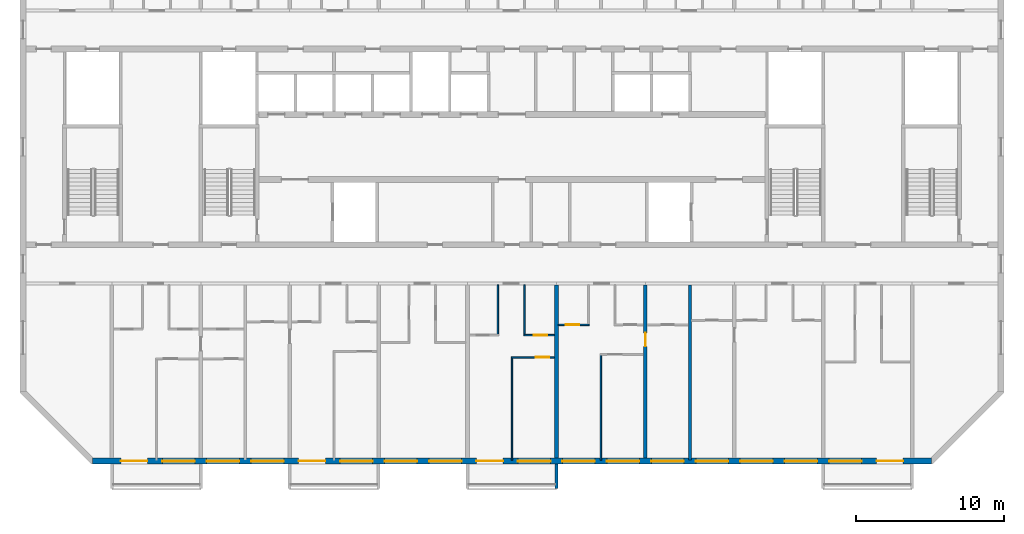
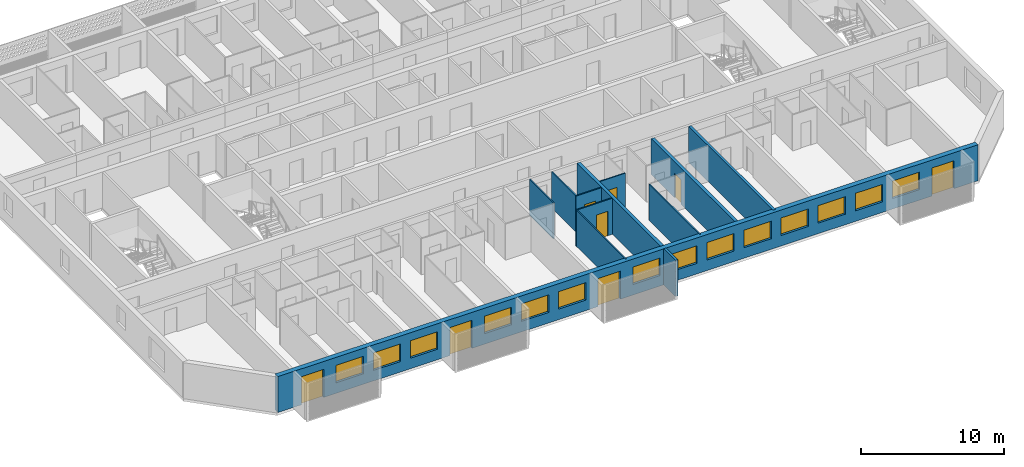
# One storey, part 4 of 27: 14 windows, 12 walls, 8 doors, 22 openings.
"""IFC4 building model written with IfcOpenShell, lengths in metres."""

from ifc_helpers import new_model, si_unit, direction, frame, frame_2d, origin, place, context, subcontext, project, spatial, polyline, rectangle, outline, extrude, source, transform, mapped, material, layer, layer_set, type_object, element, fill, save


model = new_model("IFC4")

# Units and contexts
model_context = context("Model", 3, precision=1e-05, world=origin(), true_north=direction((0.0, 1.0)))
body_context = subcontext(model_context, "Body", "Model", "MODEL_VIEW")
ifc_project = project(units=[si_unit("LENGTHUNIT", "METRE"), si_unit("AREAUNIT", "SQUARE_METRE"), si_unit("VOLUMEUNIT", "CUBIC_METRE"), si_unit("PLANEANGLEUNIT", "RADIAN"), si_unit("MASSUNIT", "GRAM", prefix="KILO")], contexts=[model_context])

# Site, building, storey
site_placement = place(None, origin())
site = spatial("IfcSite", under=ifc_project, at=site_placement, CompositionType="ELEMENT")
building_placement = place(site_placement, origin())
building = spatial("IfcBuilding", under=site, at=building_placement, Name="Poui Terraces", CompositionType="ELEMENT")
storey_placement = place(building_placement, frame((0.0, 0.0, 201.60009765625)))
storey = spatial("IfcBuildingStorey", under=building, at=storey_placement, Name="L56", CompositionType="ELEMENT", Elevation=201.60009765625)

# Wall
ifc_material_1 = material(Name="Concrete 50 MPa", Category="concrete")
ifc_layer_1 = layer(ifc_material_1, 0.25)
ifc_layer_set_1 = layer_set([ifc_layer_1], Name="Concrete 50 MPa")
wall_type_1 = type_object("IfcWallType", Name="CROSS WALL 250 50MPa", PredefinedType="SHEAR", material=ifc_layer_set_1)
wall_1_placement = place(storey_placement, frame((54.0, 0.199951171875, 0.0), z_axis=(0.0, 0.0, 1.0), x_axis=(0.0, 1.0, 0.0)))
element("IfcWall", 1, at=wall_1_placement, inside=storey, type_object=wall_type_1, Name="CROSS WALL LINE 10 SOUTH", PredefinedType="SHEAR", context=body_context, shape_type="SweptSolid", body=[
    extrude(rectangle(XDim=11.699951171875, YDim=0.25, at=frame_2d((5.85009765625, 0.0))), origin(), (0.0, 0.0, 1.0), 3.079833984375),
])

# Wall, opening, door
wall_2_placement = place(storey_placement, frame((60.0, 0.199951171875, 0.0), z_axis=(0.0, 0.0, 1.0), x_axis=(0.0, 1.0, 0.0)))
wall_2 = element("IfcWall", 2, at=wall_2_placement, inside=storey, type_object=wall_type_1, Name="CROSS WALL LINE 11 SOUTH", PredefinedType="SHEAR", context=body_context, shape_type="SweptSolid", body=[
    extrude(rectangle(XDim=11.699951171875, YDim=0.25, at=frame_2d((5.85009765625, 0.0))), origin(), (0.0, 0.0, 1.0), 3.079833984375),
])
opening_1_placement = place(wall_2_placement, frame((7.550048828125, 0.0, 0.0)))
opening_1 = element("IfcOpeningElement", 3, at=opening_1_placement, cuts=wall_2, Name="Opening D90", PredefinedType="OPENING", context=body_context, shape_type="SweptSolid", body=[
    extrude(rectangle(XDim=0.89990234375, YDim=2.10009765625, at=frame_2d((0.449951171875, 1.050048828125))), frame((0.0, 0.135009765625, 0.0), z_axis=(0.0, -1.0, 0.0), x_axis=(1.0, 0.0, 0.0)), (0.0, 0.0, 1.0), 0.27001953125),
])
ifc_material_2 = material(Name="Solid core timber door", Category="wood")
door_type_1 = type_object("IfcDoorType", Name="INTERNAL DOOR 900 X 2100", OperationType="NOTDEFINED", PredefinedType="DOOR", material=ifc_material_2)
door_1_placement = place(opening_1_placement, frame((0.89990234375, 0.0, 0.0), z_axis=(0.0, 0.0, 1.0), x_axis=(-1.0, 0.0, 0.0)))
door_1 = element("IfcDoor", 4, at=door_1_placement, inside=storey, type_object=door_type_1, Name="INTERNAL DOOR 092", OperationType="SINGLE_SWING_LEFT", OverallHeight=2.10009765625, OverallWidth=0.89990234375, PredefinedType="DOOR", context=body_context, shape_type="SweptSolid", body=[
    extrude(rectangle(XDim=0.89990234375, YDim=2.10009765625, at=frame_2d((0.449951171875, 1.050048828125))), frame((0.0, 0.02490234375, 0.0), z_axis=(0.0, -1.0, 0.0), x_axis=(1.0, 0.0, 0.0)), (0.0, 0.0, 1.0), 0.050048828125),
])
fill(opening_1, door_1)

# Wall, openings, doors, windows
ifc_material_3 = material(Name="Precast concrete 40 MPa", Category="concrete")
ifc_layer_2 = layer(ifc_material_3, 0.39990234375)
ifc_layer_set_2 = layer_set([ifc_layer_2], Name="Precast concrete 40 MPa")
wall_type_2 = type_object("IfcWallType", Name="EXTERNAL WALL 400", PredefinedType="STANDARD", material=ifc_layer_set_2)
wall_3_placement = place(storey_placement, frame((22.682861328125, 0.0, 0.0), z_axis=(0.0, 0.0, 1.0), x_axis=(1.0, 0.0, 0.0)))
wall_3 = element("IfcWall", 5, at=wall_3_placement, inside=storey, type_object=wall_type_2, Name="EXTERNAL WALL S", PredefinedType="STANDARD", context=body_context, shape_type="SweptSolid", body=[
    extrude(rectangle(XDim=56.63427734375, YDim=0.39990234375, at=frame_2d((28.317138671875, 0.0))), origin(), (0.0, 0.0, 1.0), 3.079833984375),
])
opening_2_placement = place(wall_3_placement, frame((1.917236328125, 0.0, 0.0)))
opening_2 = element("IfcOpeningElement", 6, at=opening_2_placement, cuts=wall_3, Name="Opening BD1", PredefinedType="OPENING", context=body_context, shape_type="SweptSolid", body=[
    extrude(rectangle(XDim=1.800048828125, YDim=2.39990234375, at=frame_2d((0.89990234375, 1.199951171875))), frame((0.0, 0.2099609375, 0.0), z_axis=(0.0, -1.0, 0.0), x_axis=(1.0, 0.0, 0.0)), (0.0, 0.0, 1.0), 0.419921875),
])
opening_3_placement = place(wall_3_placement, frame((4.71728515625, 0.0, 0.89990234375)))
opening_3 = element("IfcOpeningElement", 7, at=opening_3_placement, cuts=wall_3, Name="Opening W1", PredefinedType="OPENING", context=body_context, shape_type="SweptSolid", body=[
    extrude(rectangle(XDim=2.199951171875, YDim=1.5, at=frame_2d((1.10009765625, 0.75))), frame((0.0, 0.2099609375, 0.0), z_axis=(0.0, -1.0, 0.0), x_axis=(1.0, 0.0, 0.0)), (0.0, 0.0, 1.0), 0.419921875),
])
opening_4_placement = place(wall_3_placement, frame((7.71728515625, 0.0, 0.89990234375)))
opening_4 = element("IfcOpeningElement", 8, at=opening_4_placement, cuts=wall_3, Name="Opening W1", PredefinedType="OPENING", context=body_context, shape_type="SweptSolid", body=[
    extrude(rectangle(XDim=2.199951171875, YDim=1.5, at=frame_2d((1.10009765625, 0.75))), frame((0.0, 0.2099609375, 0.0), z_axis=(0.0, -1.0, 0.0), x_axis=(1.0, 0.0, 0.0)), (0.0, 0.0, 1.0), 0.419921875),
])
opening_5_placement = place(wall_3_placement, frame((10.71728515625, 0.0, 0.89990234375)))
opening_5 = element("IfcOpeningElement", 9, at=opening_5_placement, cuts=wall_3, Name="Opening W1", PredefinedType="OPENING", context=body_context, shape_type="SweptSolid", body=[
    extrude(rectangle(XDim=2.199951171875, YDim=1.5, at=frame_2d((1.10009765625, 0.75))), frame((0.0, 0.2099609375, 0.0), z_axis=(0.0, -1.0, 0.0), x_axis=(1.0, 0.0, 0.0)), (0.0, 0.0, 1.0), 0.419921875),
])
opening_6_placement = place(wall_3_placement, frame((13.917236328125, 0.0, 0.0)))
opening_6 = element("IfcOpeningElement", 10, at=opening_6_placement, cuts=wall_3, Name="Opening BD1", PredefinedType="OPENING", context=body_context, shape_type="SweptSolid", body=[
    extrude(rectangle(XDim=1.800048828125, YDim=2.39990234375, at=frame_2d((0.89990234375, 1.199951171875))), frame((0.0, 0.2099609375, 0.0), z_axis=(0.0, -1.0, 0.0), x_axis=(1.0, 0.0, 0.0)), (0.0, 0.0, 1.0), 0.419921875),
])
opening_7_placement = place(wall_3_placement, frame((16.71728515625, 0.0, 0.89990234375)))
opening_7 = element("IfcOpeningElement", 11, at=opening_7_placement, cuts=wall_3, Name="Opening W1", PredefinedType="OPENING", context=body_context, shape_type="SweptSolid", body=[
    extrude(rectangle(XDim=2.199951171875, YDim=1.5, at=frame_2d((1.10009765625, 0.75))), frame((0.0, 0.2099609375, 0.0), z_axis=(0.0, -1.0, 0.0), x_axis=(1.0, 0.0, 0.0)), (0.0, 0.0, 1.0), 0.419921875),
])
opening_8_placement = place(wall_3_placement, frame((19.71728515625, 0.0, 0.89990234375)))
opening_8 = element("IfcOpeningElement", 12, at=opening_8_placement, cuts=wall_3, Name="Opening W1", PredefinedType="OPENING", context=body_context, shape_type="SweptSolid", body=[
    extrude(rectangle(XDim=2.199951171875, YDim=1.5, at=frame_2d((1.10009765625, 0.75))), frame((0.0, 0.2099609375, 0.0), z_axis=(0.0, -1.0, 0.0), x_axis=(1.0, 0.0, 0.0)), (0.0, 0.0, 1.0), 0.419921875),
])
opening_9_placement = place(wall_3_placement, frame((22.71728515625, 0.0, 0.89990234375)))
opening_9 = element("IfcOpeningElement", 13, at=opening_9_placement, cuts=wall_3, Name="Opening W1", PredefinedType="OPENING", context=body_context, shape_type="SweptSolid", body=[
    extrude(rectangle(XDim=2.199951171875, YDim=1.5, at=frame_2d((1.10009765625, 0.75))), frame((0.0, 0.2099609375, 0.0), z_axis=(0.0, -1.0, 0.0), x_axis=(1.0, 0.0, 0.0)), (0.0, 0.0, 1.0), 0.419921875),
])
opening_10_placement = place(wall_3_placement, frame((25.917236328125, 0.0, 0.0)))
opening_10 = element("IfcOpeningElement", 14, at=opening_10_placement, cuts=wall_3, Name="Opening BD1", PredefinedType="OPENING", context=body_context, shape_type="SweptSolid", body=[
    extrude(rectangle(XDim=1.800048828125, YDim=2.39990234375, at=frame_2d((0.89990234375, 1.199951171875))), frame((0.0, 0.2099609375, 0.0), z_axis=(0.0, -1.0, 0.0), x_axis=(1.0, 0.0, 0.0)), (0.0, 0.0, 1.0), 0.419921875),
])
opening_11_placement = place(wall_3_placement, frame((28.71728515625, 0.0, 0.89990234375)))
opening_11 = element("IfcOpeningElement", 15, at=opening_11_placement, cuts=wall_3, Name="Opening W1", PredefinedType="OPENING", context=body_context, shape_type="SweptSolid", body=[
    extrude(rectangle(XDim=2.199951171875, YDim=1.5, at=frame_2d((1.10009765625, 0.75))), frame((0.0, 0.2099609375, 0.0), z_axis=(0.0, -1.0, 0.0), x_axis=(1.0, 0.0, 0.0)), (0.0, 0.0, 1.0), 0.419921875),
])
opening_12_placement = place(wall_3_placement, frame((31.71728515625, 0.0, 0.89990234375)))
opening_12 = element("IfcOpeningElement", 16, at=opening_12_placement, cuts=wall_3, Name="Opening W1", PredefinedType="OPENING", context=body_context, shape_type="SweptSolid", body=[
    extrude(rectangle(XDim=2.199951171875, YDim=1.5, at=frame_2d((1.10009765625, 0.75))), frame((0.0, 0.2099609375, 0.0), z_axis=(0.0, -1.0, 0.0), x_axis=(1.0, 0.0, 0.0)), (0.0, 0.0, 1.0), 0.419921875),
])
opening_13_placement = place(wall_3_placement, frame((34.71728515625, 0.0, 0.89990234375)))
opening_13 = element("IfcOpeningElement", 17, at=opening_13_placement, cuts=wall_3, Name="Opening W1", PredefinedType="OPENING", context=body_context, shape_type="SweptSolid", body=[
    extrude(rectangle(XDim=2.199951171875, YDim=1.5, at=frame_2d((1.10009765625, 0.75))), frame((0.0, 0.2099609375, 0.0), z_axis=(0.0, -1.0, 0.0), x_axis=(1.0, 0.0, 0.0)), (0.0, 0.0, 1.0), 0.419921875),
])
opening_14_placement = place(wall_3_placement, frame((37.71728515625, 0.0, 0.89990234375)))
opening_14 = element("IfcOpeningElement", 18, at=opening_14_placement, cuts=wall_3, Name="Opening W1", PredefinedType="OPENING", context=body_context, shape_type="SweptSolid", body=[
    extrude(rectangle(XDim=2.199951171875, YDim=1.5, at=frame_2d((1.10009765625, 0.75))), frame((0.0, 0.2099609375, 0.0), z_axis=(0.0, -1.0, 0.0), x_axis=(1.0, 0.0, 0.0)), (0.0, 0.0, 1.0), 0.419921875),
])
opening_15_placement = place(wall_3_placement, frame((40.71728515625, 0.0, 0.89990234375)))
opening_15 = element("IfcOpeningElement", 19, at=opening_15_placement, cuts=wall_3, Name="Opening W1", PredefinedType="OPENING", context=body_context, shape_type="SweptSolid", body=[
    extrude(rectangle(XDim=2.199951171875, YDim=1.5, at=frame_2d((1.10009765625, 0.75))), frame((0.0, 0.2099609375, 0.0), z_axis=(0.0, -1.0, 0.0), x_axis=(1.0, 0.0, 0.0)), (0.0, 0.0, 1.0), 0.419921875),
])
opening_16_placement = place(wall_3_placement, frame((43.71728515625, 0.0, 0.89990234375)))
opening_16 = element("IfcOpeningElement", 20, at=opening_16_placement, cuts=wall_3, Name="Opening W1", PredefinedType="OPENING", context=body_context, shape_type="SweptSolid", body=[
    extrude(rectangle(XDim=2.199951171875, YDim=1.5, at=frame_2d((1.10009765625, 0.75))), frame((0.0, 0.2099609375, 0.0), z_axis=(0.0, -1.0, 0.0), x_axis=(1.0, 0.0, 0.0)), (0.0, 0.0, 1.0), 0.419921875),
])
opening_17_placement = place(wall_3_placement, frame((46.71728515625, 0.0, 0.89990234375)))
opening_17 = element("IfcOpeningElement", 21, at=opening_17_placement, cuts=wall_3, Name="Opening W1", PredefinedType="OPENING", context=body_context, shape_type="SweptSolid", body=[
    extrude(rectangle(XDim=2.199951171875, YDim=1.5, at=frame_2d((1.10009765625, 0.75))), frame((0.0, 0.2099609375, 0.0), z_axis=(0.0, -1.0, 0.0), x_axis=(1.0, 0.0, 0.0)), (0.0, 0.0, 1.0), 0.419921875),
])
opening_18_placement = place(wall_3_placement, frame((49.71728515625, 0.0, 0.89990234375)))
opening_18 = element("IfcOpeningElement", 22, at=opening_18_placement, cuts=wall_3, Name="Opening W1", PredefinedType="OPENING", context=body_context, shape_type="SweptSolid", body=[
    extrude(rectangle(XDim=2.199951171875, YDim=1.5, at=frame_2d((1.10009765625, 0.75))), frame((0.0, 0.2099609375, 0.0), z_axis=(0.0, -1.0, 0.0), x_axis=(1.0, 0.0, 0.0)), (0.0, 0.0, 1.0), 0.419921875),
])
opening_19_placement = place(wall_3_placement, frame((52.917236328125, 0.0, 0.0)))
opening_19 = element("IfcOpeningElement", 23, at=opening_19_placement, cuts=wall_3, Name="Opening BD1", PredefinedType="OPENING", context=body_context, shape_type="SweptSolid", body=[
    extrude(rectangle(XDim=1.800048828125, YDim=2.39990234375, at=frame_2d((0.89990234375, 1.199951171875))), frame((0.0, 0.2099609375, 0.0), z_axis=(0.0, -1.0, 0.0), x_axis=(1.0, 0.0, 0.0)), (0.0, 0.0, 1.0), 0.419921875),
])
ifc_material_4 = material(Name="Clear glass in aluminium frame", Category="aluminium")
door_type_2 = type_object("IfcDoorType", Name="BALCONY DOOR 1800X2400", OperationType="DOUBLE_DOOR_SLIDING", PredefinedType="DOOR", material=ifc_material_4)
door_2_placement = place(opening_2_placement, origin())
door_2 = element("IfcDoor", 24, at=door_2_placement, inside=storey, type_object=door_type_2, Name="BD1 BALCONY DOOR", OperationType="DOUBLE_DOOR_SLIDING", OverallHeight=2.39990234375, OverallWidth=1.800048828125, PredefinedType="DOOR", context=body_context, shape_type="SweptSolid", body=[
    extrude(rectangle(XDim=1.800048828125, YDim=2.39990234375, at=frame_2d((0.89990234375, 1.199951171875))), frame((0.0, 0.02490234375, 0.0), z_axis=(0.0, -1.0, 0.0), x_axis=(1.0, 0.0, 0.0)), (0.0, 0.0, 1.0), 0.050048828125),
])
fill(opening_2, door_2)
door_3_placement = place(opening_6_placement, origin())
door_3 = element("IfcDoor", 25, at=door_3_placement, inside=storey, type_object=door_type_2, Name="BD1 BALCONY DOOR", OperationType="DOUBLE_DOOR_SLIDING", OverallHeight=2.39990234375, OverallWidth=1.800048828125, PredefinedType="DOOR", context=body_context, shape_type="SweptSolid", body=[
    extrude(rectangle(XDim=1.800048828125, YDim=2.39990234375, at=frame_2d((0.89990234375, 1.199951171875))), frame((0.0, 0.02490234375, 0.0), z_axis=(0.0, -1.0, 0.0), x_axis=(1.0, 0.0, 0.0)), (0.0, 0.0, 1.0), 0.050048828125),
])
fill(opening_6, door_3)
door_4_placement = place(opening_10_placement, origin())
door_4 = element("IfcDoor", 26, at=door_4_placement, inside=storey, type_object=door_type_2, Name="BD1 BALCONY DOOR", OperationType="DOUBLE_DOOR_SLIDING", OverallHeight=2.39990234375, OverallWidth=1.800048828125, PredefinedType="DOOR", context=body_context, shape_type="SweptSolid", body=[
    extrude(rectangle(XDim=1.800048828125, YDim=2.39990234375, at=frame_2d((0.89990234375, 1.199951171875))), frame((0.0, 0.02490234375, 0.0), z_axis=(0.0, -1.0, 0.0), x_axis=(1.0, 0.0, 0.0)), (0.0, 0.0, 1.0), 0.050048828125),
])
fill(opening_10, door_4)
door_5_placement = place(opening_19_placement, origin())
door_5 = element("IfcDoor", 27, at=door_5_placement, inside=storey, type_object=door_type_2, Name="BD1 BALCONY DOOR", OperationType="DOUBLE_DOOR_SLIDING", OverallHeight=2.39990234375, OverallWidth=1.800048828125, PredefinedType="DOOR", context=body_context, shape_type="SweptSolid", body=[
    extrude(rectangle(XDim=1.800048828125, YDim=2.39990234375, at=frame_2d((0.89990234375, 1.199951171875))), frame((0.0, 0.02490234375, 0.0), z_axis=(0.0, -1.0, 0.0), x_axis=(1.0, 0.0, 0.0)), (0.0, 0.0, 1.0), 0.050048828125),
])
fill(opening_19, door_5)
window_type = type_object("IfcWindowType", Name="WINDOW 2200X1500", PartitioningType="DOUBLE_PANEL_HORIZONTAL", PredefinedType="WINDOW", material=ifc_material_4)
window_1_placement = place(opening_3_placement, origin())
window_1 = element("IfcWindow", 28, at=window_1_placement, inside=storey, type_object=window_type, Name="W1 WINDOW", OverallHeight=1.5, OverallWidth=2.199951171875, PartitioningType="DOUBLE_PANEL_HORIZONTAL", PredefinedType="WINDOW", context=body_context, shape_type="SweptSolid", body=[
    extrude(rectangle(XDim=2.199951171875, YDim=1.5, at=frame_2d((1.10009765625, 0.75))), frame((0.0, 0.030029296875, 0.0), z_axis=(0.0, -1.0, 0.0), x_axis=(1.0, 0.0, 0.0)), (0.0, 0.0, 1.0), 0.06005859375),
])
fill(opening_3, window_1)
window_2_placement = place(opening_4_placement, origin())
window_2 = element("IfcWindow", 29, at=window_2_placement, inside=storey, type_object=window_type, Name="W1 WINDOW", OverallHeight=1.5, OverallWidth=2.199951171875, PartitioningType="DOUBLE_PANEL_HORIZONTAL", PredefinedType="WINDOW", context=body_context, shape_type="SweptSolid", body=[
    extrude(rectangle(XDim=2.199951171875, YDim=1.5, at=frame_2d((1.10009765625, 0.75))), frame((0.0, 0.030029296875, 0.0), z_axis=(0.0, -1.0, 0.0), x_axis=(1.0, 0.0, 0.0)), (0.0, 0.0, 1.0), 0.06005859375),
])
fill(opening_4, window_2)
window_3_placement = place(opening_5_placement, origin())
window_3 = element("IfcWindow", 30, at=window_3_placement, inside=storey, type_object=window_type, Name="W1 WINDOW", OverallHeight=1.5, OverallWidth=2.199951171875, PartitioningType="DOUBLE_PANEL_HORIZONTAL", PredefinedType="WINDOW", context=body_context, shape_type="SweptSolid", body=[
    extrude(rectangle(XDim=2.199951171875, YDim=1.5, at=frame_2d((1.10009765625, 0.75))), frame((0.0, 0.030029296875, 0.0), z_axis=(0.0, -1.0, 0.0), x_axis=(1.0, 0.0, 0.0)), (0.0, 0.0, 1.0), 0.06005859375),
])
fill(opening_5, window_3)
window_4_placement = place(opening_7_placement, origin())
window_4 = element("IfcWindow", 31, at=window_4_placement, inside=storey, type_object=window_type, Name="W1 WINDOW", OverallHeight=1.5, OverallWidth=2.199951171875, PartitioningType="DOUBLE_PANEL_HORIZONTAL", PredefinedType="WINDOW", context=body_context, shape_type="SweptSolid", body=[
    extrude(rectangle(XDim=2.199951171875, YDim=1.5, at=frame_2d((1.10009765625, 0.75))), frame((0.0, 0.030029296875, 0.0), z_axis=(0.0, -1.0, 0.0), x_axis=(1.0, 0.0, 0.0)), (0.0, 0.0, 1.0), 0.06005859375),
])
fill(opening_7, window_4)
window_5_placement = place(opening_8_placement, origin())
window_5 = element("IfcWindow", 32, at=window_5_placement, inside=storey, type_object=window_type, Name="W1 WINDOW", OverallHeight=1.5, OverallWidth=2.199951171875, PartitioningType="DOUBLE_PANEL_HORIZONTAL", PredefinedType="WINDOW", context=body_context, shape_type="SweptSolid", body=[
    extrude(rectangle(XDim=2.199951171875, YDim=1.5, at=frame_2d((1.10009765625, 0.75))), frame((0.0, 0.030029296875, 0.0), z_axis=(0.0, -1.0, 0.0), x_axis=(1.0, 0.0, 0.0)), (0.0, 0.0, 1.0), 0.06005859375),
])
fill(opening_8, window_5)
window_6_placement = place(opening_9_placement, origin())
window_6 = element("IfcWindow", 33, at=window_6_placement, inside=storey, type_object=window_type, Name="W1 WINDOW", OverallHeight=1.5, OverallWidth=2.199951171875, PartitioningType="DOUBLE_PANEL_HORIZONTAL", PredefinedType="WINDOW", context=body_context, shape_type="SweptSolid", body=[
    extrude(rectangle(XDim=2.199951171875, YDim=1.5, at=frame_2d((1.10009765625, 0.75))), frame((0.0, 0.030029296875, 0.0), z_axis=(0.0, -1.0, 0.0), x_axis=(1.0, 0.0, 0.0)), (0.0, 0.0, 1.0), 0.06005859375),
])
fill(opening_9, window_6)
window_7_placement = place(opening_11_placement, origin())
window_7 = element("IfcWindow", 34, at=window_7_placement, inside=storey, type_object=window_type, Name="W1 WINDOW", OverallHeight=1.5, OverallWidth=2.199951171875, PartitioningType="DOUBLE_PANEL_HORIZONTAL", PredefinedType="WINDOW", context=body_context, shape_type="SweptSolid", body=[
    extrude(rectangle(XDim=2.199951171875, YDim=1.5, at=frame_2d((1.10009765625, 0.75))), frame((0.0, 0.030029296875, 0.0), z_axis=(0.0, -1.0, 0.0), x_axis=(1.0, 0.0, 0.0)), (0.0, 0.0, 1.0), 0.06005859375),
])
fill(opening_11, window_7)
window_8_placement = place(opening_12_placement, origin())
window_8 = element("IfcWindow", 35, at=window_8_placement, inside=storey, type_object=window_type, Name="W1 WINDOW", OverallHeight=1.5, OverallWidth=2.199951171875, PartitioningType="DOUBLE_PANEL_HORIZONTAL", PredefinedType="WINDOW", context=body_context, shape_type="SweptSolid", body=[
    extrude(rectangle(XDim=2.199951171875, YDim=1.5, at=frame_2d((1.10009765625, 0.75))), frame((0.0, 0.030029296875, 0.0), z_axis=(0.0, -1.0, 0.0), x_axis=(1.0, 0.0, 0.0)), (0.0, 0.0, 1.0), 0.06005859375),
])
fill(opening_12, window_8)
window_9_placement = place(opening_13_placement, origin())
window_9 = element("IfcWindow", 36, at=window_9_placement, inside=storey, type_object=window_type, Name="W1 WINDOW", OverallHeight=1.5, OverallWidth=2.199951171875, PartitioningType="DOUBLE_PANEL_HORIZONTAL", PredefinedType="WINDOW", context=body_context, shape_type="SweptSolid", body=[
    extrude(rectangle(XDim=2.199951171875, YDim=1.5, at=frame_2d((1.10009765625, 0.75))), frame((0.0, 0.030029296875, 0.0), z_axis=(0.0, -1.0, 0.0), x_axis=(1.0, 0.0, 0.0)), (0.0, 0.0, 1.0), 0.06005859375),
])
fill(opening_13, window_9)
window_10_placement = place(opening_14_placement, origin())
window_10 = element("IfcWindow", 37, at=window_10_placement, inside=storey, type_object=window_type, Name="W1 WINDOW", OverallHeight=1.5, OverallWidth=2.199951171875, PartitioningType="DOUBLE_PANEL_HORIZONTAL", PredefinedType="WINDOW", context=body_context, shape_type="SweptSolid", body=[
    extrude(rectangle(XDim=2.199951171875, YDim=1.5, at=frame_2d((1.10009765625, 0.75))), frame((0.0, 0.030029296875, 0.0), z_axis=(0.0, -1.0, 0.0), x_axis=(1.0, 0.0, 0.0)), (0.0, 0.0, 1.0), 0.06005859375),
])
fill(opening_14, window_10)
window_11_placement = place(opening_15_placement, origin())
window_11 = element("IfcWindow", 38, at=window_11_placement, inside=storey, type_object=window_type, Name="W1 WINDOW", OverallHeight=1.5, OverallWidth=2.199951171875, PartitioningType="DOUBLE_PANEL_HORIZONTAL", PredefinedType="WINDOW", context=body_context, shape_type="SweptSolid", body=[
    extrude(rectangle(XDim=2.199951171875, YDim=1.5, at=frame_2d((1.10009765625, 0.75))), frame((0.0, 0.030029296875, 0.0), z_axis=(0.0, -1.0, 0.0), x_axis=(1.0, 0.0, 0.0)), (0.0, 0.0, 1.0), 0.06005859375),
])
fill(opening_15, window_11)
window_12_placement = place(opening_16_placement, origin())
window_12 = element("IfcWindow", 39, at=window_12_placement, inside=storey, type_object=window_type, Name="W1 WINDOW", OverallHeight=1.5, OverallWidth=2.199951171875, PartitioningType="DOUBLE_PANEL_HORIZONTAL", PredefinedType="WINDOW", context=body_context, shape_type="SweptSolid", body=[
    extrude(rectangle(XDim=2.199951171875, YDim=1.5, at=frame_2d((1.10009765625, 0.75))), frame((0.0, 0.030029296875, 0.0), z_axis=(0.0, -1.0, 0.0), x_axis=(1.0, 0.0, 0.0)), (0.0, 0.0, 1.0), 0.06005859375),
])
fill(opening_16, window_12)
window_13_placement = place(opening_17_placement, origin())
window_13 = element("IfcWindow", 40, at=window_13_placement, inside=storey, type_object=window_type, Name="W1 WINDOW", OverallHeight=1.5, OverallWidth=2.199951171875, PartitioningType="DOUBLE_PANEL_HORIZONTAL", PredefinedType="WINDOW", context=body_context, shape_type="SweptSolid", body=[
    extrude(rectangle(XDim=2.199951171875, YDim=1.5, at=frame_2d((1.10009765625, 0.75))), frame((0.0, 0.030029296875, 0.0), z_axis=(0.0, -1.0, 0.0), x_axis=(1.0, 0.0, 0.0)), (0.0, 0.0, 1.0), 0.06005859375),
])
fill(opening_17, window_13)
window_14_placement = place(opening_18_placement, origin())
window_14 = element("IfcWindow", 41, at=window_14_placement, inside=storey, type_object=window_type, Name="W1 WINDOW", OverallHeight=1.5, OverallWidth=2.199951171875, PartitioningType="DOUBLE_PANEL_HORIZONTAL", PredefinedType="WINDOW", context=body_context, shape_type="SweptSolid", body=[
    extrude(rectangle(XDim=2.199951171875, YDim=1.5, at=frame_2d((1.10009765625, 0.75))), frame((0.0, 0.030029296875, 0.0), z_axis=(0.0, -1.0, 0.0), x_axis=(1.0, 0.0, 0.0)), (0.0, 0.0, 1.0), 0.06005859375),
])
fill(opening_18, window_14)

# Wall, opening, door
ifc_material_5 = material(Name="Plasterboard partition")
ifc_layer_3 = layer(ifc_material_5, 0.10009765625)
ifc_layer_set_3 = layer_set([ifc_layer_3], Name="Plasterboard partition")
wall_type_3 = type_object("IfcWallType", Name="FLAT PARTITION 100", PredefinedType="PARTITIONING", material=ifc_layer_set_3)
wall_4_placement = place(storey_placement, frame((50.949951171875, 7.0, 0.0), z_axis=(0.0, 0.0, 1.0), x_axis=(1.0, 0.0, 0.0)))
wall_4 = element("IfcWall", 42, at=wall_4_placement, inside=storey, type_object=wall_type_3, Name="FLAT PARTITION 100", PredefinedType="PARTITIONING", context=body_context, shape_type="SweptSolid", body=[
    extrude(rectangle(XDim=2.9150390625, YDim=0.10009765625, at=frame_2d((1.45751953125, 0.0))), origin(), (0.0, 0.0, 1.0), 3.079833984375),
])
opening_20_placement = place(wall_4_placement, frame((1.64990234375, 0.0, 0.0)))
opening_20 = element("IfcOpeningElement", 43, at=opening_20_placement, cuts=wall_4, Name="Opening D90", PredefinedType="OPENING", context=body_context, shape_type="SweptSolid", body=[
    extrude(rectangle(XDim=0.89990234375, YDim=2.10009765625, at=frame_2d((0.449951171875, 1.050048828125))), frame((0.0, 0.06005859375, 0.0), z_axis=(0.0, -1.0, 0.0), x_axis=(1.0, 0.0, 0.0)), (0.0, 0.0, 1.0), 0.1201171875),
])
door_6_placement = place(opening_20_placement, origin())
door_6 = element("IfcDoor", 44, at=door_6_placement, inside=storey, type_object=door_type_1, Name="INTERNAL DOOR 086", OperationType="SINGLE_SWING_LEFT", OverallHeight=2.10009765625, OverallWidth=0.89990234375, PredefinedType="DOOR", context=body_context, shape_type="SweptSolid", body=[
    extrude(rectangle(XDim=0.89990234375, YDim=2.10009765625, at=frame_2d((0.449951171875, 1.050048828125))), frame((0.0, 0.02490234375, 0.0), z_axis=(0.0, -1.0, 0.0), x_axis=(1.0, 0.0, 0.0)), (0.0, 0.0, 1.0), 0.050048828125),
])
fill(opening_20, door_6)

wall_5_placement = place(storey_placement, frame((51.800048828125, 8.5, 0.0), z_axis=(0.0, 0.0, 1.0), x_axis=(1.0, 0.0, 0.0)))
wall_5 = element("IfcWall", 45, at=wall_5_placement, inside=storey, type_object=wall_type_3, Name="FLAT PARTITION 100", PredefinedType="PARTITIONING", context=body_context, shape_type="SweptSolid", body=[
    extrude(rectangle(XDim=2.06494140625, YDim=0.10009765625, at=frame_2d((1.032470703125, 0.0))), origin(), (0.0, 0.0, 1.0), 3.079833984375),
])
opening_21_placement = place(wall_5_placement, frame((0.675048828125, 0.0, 0.0)))
opening_21 = element("IfcOpeningElement", 46, at=opening_21_placement, cuts=wall_5, Name="Opening D90", PredefinedType="OPENING", context=body_context, shape_type="SweptSolid", body=[
    extrude(rectangle(XDim=0.89990234375, YDim=2.10009765625, at=frame_2d((0.449951171875, 1.050048828125))), frame((0.0, 0.06005859375, 0.0), z_axis=(0.0, -1.0, 0.0), x_axis=(1.0, 0.0, 0.0)), (0.0, 0.0, 1.0), 0.1201171875),
])
door_7_placement = place(opening_21_placement, origin())
door_7 = element("IfcDoor", 47, at=door_7_placement, inside=storey, type_object=door_type_1, Name="INTERNAL DOOR 085", OperationType="SINGLE_SWING_RIGHT", OverallHeight=2.10009765625, OverallWidth=0.89990234375, PredefinedType="DOOR", context=body_context, shape_type="SweptSolid", body=[
    extrude(rectangle(XDim=0.89990234375, YDim=2.10009765625, at=frame_2d((0.449951171875, 1.050048828125))), frame((0.0, 0.02490234375, 0.0), z_axis=(0.0, -1.0, 0.0), x_axis=(1.0, 0.0, 0.0)), (0.0, 0.0, 1.0), 0.050048828125),
])
fill(opening_21, door_7)

wall_6_placement = place(storey_placement, frame((54.135009765625, 9.199951171875, 0.0), z_axis=(0.0, 0.0, 1.0), x_axis=(1.0, 0.0, 0.0)))
wall_6 = element("IfcWall", 48, at=wall_6_placement, inside=storey, type_object=wall_type_3, Name="FLAT PARTITION 100", PredefinedType="PARTITIONING", context=body_context, shape_type="SweptSolid", body=[
    extrude(rectangle(XDim=2.06494140625, YDim=0.10009765625, at=frame_2d((1.032470703125, 0.0))), origin(), (0.0, 0.0, 1.0), 3.079833984375),
])
opening_22_placement = place(wall_6_placement, frame((0.489990234375, 0.0, 0.0)))
opening_22 = element("IfcOpeningElement", 49, at=opening_22_placement, cuts=wall_6, Name="Opening D90", PredefinedType="OPENING", context=body_context, shape_type="SweptSolid", body=[
    extrude(rectangle(XDim=0.89990234375, YDim=2.10009765625, at=frame_2d((0.449951171875, 1.050048828125))), frame((0.0, 0.06005859375, 0.0), z_axis=(0.0, -1.0, 0.0), x_axis=(1.0, 0.0, 0.0)), (0.0, 0.0, 1.0), 0.1201171875),
])
door_8_placement = place(opening_22_placement, origin())
door_8 = element("IfcDoor", 50, at=door_8_placement, inside=storey, type_object=door_type_1, Name="INTERNAL DOOR 088", OperationType="SINGLE_SWING_RIGHT", OverallHeight=2.10009765625, OverallWidth=0.89990234375, PredefinedType="DOOR", context=body_context, shape_type="SweptSolid", body=[
    extrude(rectangle(XDim=0.89990234375, YDim=2.10009765625, at=frame_2d((0.449951171875, 1.050048828125))), frame((0.0, 0.02490234375, 0.0), z_axis=(0.0, -1.0, 0.0), x_axis=(1.0, 0.0, 0.0)), (0.0, 0.0, 1.0), 0.050048828125),
])
fill(opening_22, door_8)

# Walls
wall_7_placement = place(storey_placement, frame((50.050048828125, 8.550048828125, 0.0), z_axis=(0.0, 0.0, 1.0), x_axis=(0.0, 1.0, 0.0)))
element("IfcWall", 51, at=wall_7_placement, inside=storey, type_object=wall_type_3, Name="FLAT PARTITION 100", PredefinedType="PARTITIONING", context=body_context, shape_type="SweptSolid", body=[
    extrude(rectangle(XDim=3.33984375, YDim=0.10009765625, at=frame_2d((1.669921875, 0.0))), origin(), (0.0, 0.0, 1.0), 3.079833984375),
])
wall_8_placement = place(storey_placement, frame((51.0, 0.06005859375, 0.0), z_axis=(0.0, 0.0, 1.0), x_axis=(0.0, 1.0, 0.0)))
element("IfcWall", 52, at=wall_8_placement, inside=storey, type_object=wall_type_3, Name="FLAT PARTITION 100", PredefinedType="PARTITIONING", context=body_context, shape_type="SweptSolid", body=[
    extrude(rectangle(XDim=6.889892578125, YDim=0.10009765625, at=frame_2d((3.44482421875, 0.0))), origin(), (0.0, 0.0, 1.0), 3.079833984375),
])
wall_9_placement = place(storey_placement, frame((51.85009765625, 8.550048828125, 0.0), z_axis=(0.0, 0.0, 1.0), x_axis=(0.0, 1.0, 0.0)))
element("IfcWall", 53, at=wall_9_placement, inside=storey, type_object=wall_type_3, Name="FLAT PARTITION 100", PredefinedType="PARTITIONING", context=body_context, shape_type="SweptSolid", body=[
    extrude(rectangle(XDim=3.33984375, YDim=0.10009765625, at=frame_2d((1.669921875, 0.0))), origin(), (0.0, 0.0, 1.0), 3.079833984375),
])
wall_10_placement = place(storey_placement, frame((57.0, 0.06005859375, 0.0), z_axis=(0.0, 0.0, 1.0), x_axis=(0.0, 1.0, 0.0)))
element("IfcWall", 54, at=wall_10_placement, inside=storey, type_object=wall_type_3, Name="FLAT PARTITION 100", PredefinedType="PARTITIONING", context=body_context, shape_type="SweptSolid", body=[
    extrude(rectangle(XDim=7.08984375, YDim=0.10009765625, at=frame_2d((3.544921875, 0.0))), origin(), (0.0, 0.0, 1.0), 3.079833984375),
])
ifc_material_6 = material(Name="Fire-rated masonry wall", Category="masonry")
ifc_layer_4 = layer(ifc_material_6, 0.199951171875)
ifc_layer_set_4 = layer_set([ifc_layer_4], Name="Fire-rated masonry wall")
wall_type_4 = type_object("IfcWallType", Name="FLAT PARTY WALL 200", PredefinedType="PARTITIONING", material=ifc_layer_set_4)
wall_11_placement = place(storey_placement, frame((63.0, 0.06005859375, 0.0), z_axis=(0.0, 0.0, 1.0), x_axis=(0.0, 1.0, 0.0)))
element("IfcWall", 55, at=wall_11_placement, inside=storey, type_object=wall_type_4, Name="FLAT PARTY WALL 200", PredefinedType="PARTITIONING", context=body_context, shape_type="SweptSolid", body=[
    extrude(rectangle(XDim=11.829833984375, YDim=0.199951171875, at=frame_2d((5.9150390625, 0.0))), origin(), (0.0, 0.0, 1.0), 3.079833984375),
])
ifc_layer_5 = layer(ifc_material_3, 0.199951171875)
ifc_layer_set_5 = layer_set([ifc_layer_5], Name="Precast concrete 40 MPa")
wall_type_5 = type_object("IfcWallType", Name="REAR FIN 200", PredefinedType="STANDARD", material=ifc_layer_set_5)
shared_shape = source(origin(), body_context, "Body", "SweptSolid", [
    extrude(outline(polyline([(0.0, 0.0), (0.2001953125, 0.0), (0.2001953125, 1.650146484375), (0.0, 1.650146484375), (0.0, 0.0)])), origin(), (0.0, 0.0, 1.0), 3.099853515625),
])
wall_12_placement = place(storey_placement, frame((53.89990234375, -1.85009765625, 0.0)))
element("IfcWall", 56, at=wall_12_placement, inside=storey, type_object=wall_type_5, Name="REAR FIN", PredefinedType="STANDARD", context=body_context, shape_type="MappedRepresentation", body=[
    mapped(shared_shape, transform((0.0, 0.0, 0.0))),
])

save(model, "model.ifc")
